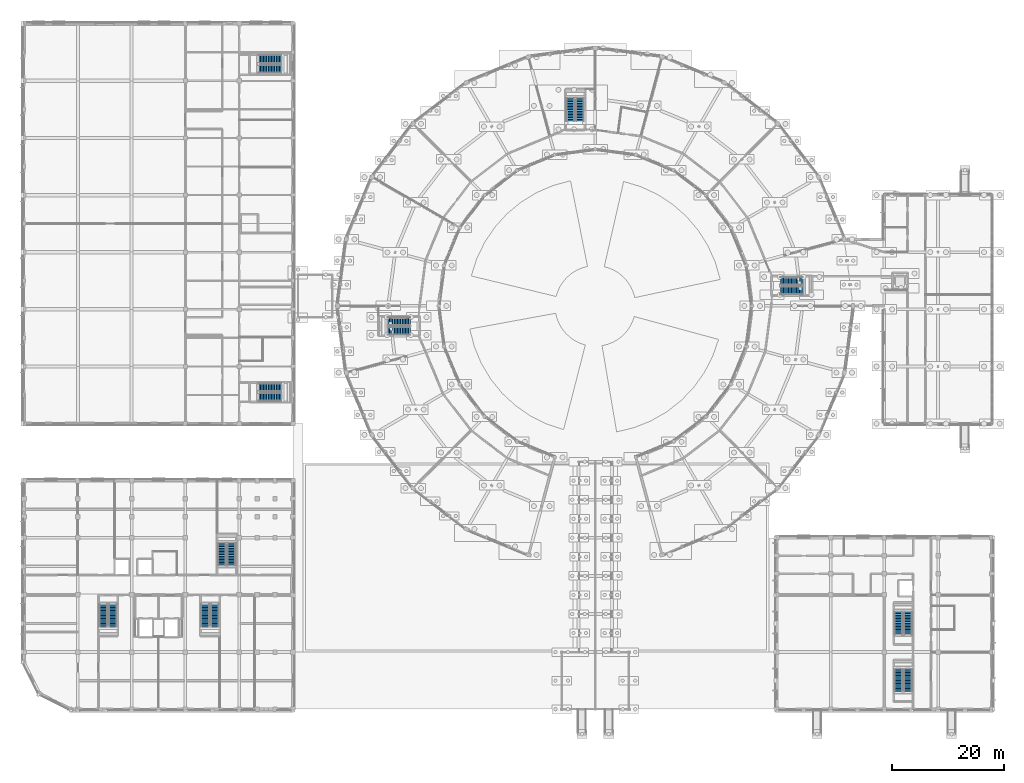
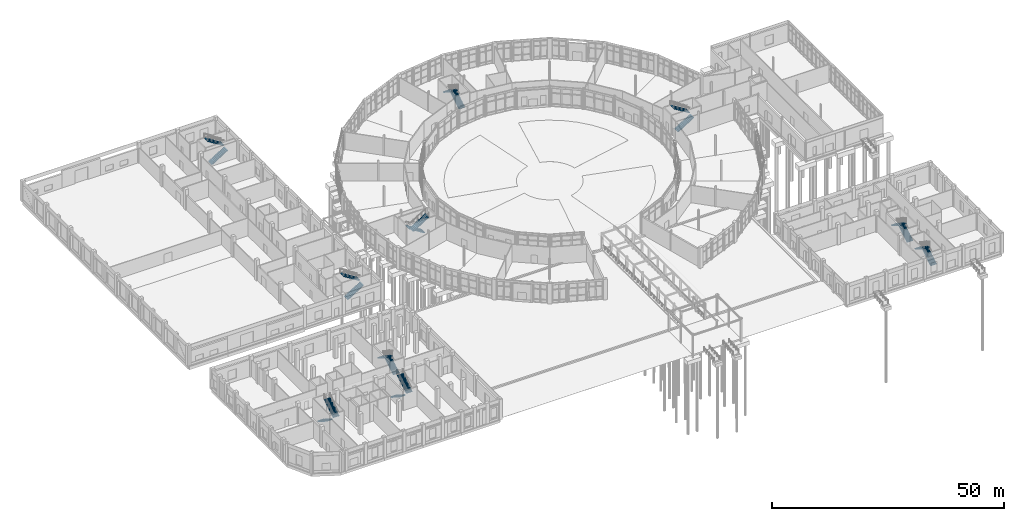
# One storey, part 114 of 137: 20 stair flights, 10 elements without a shape of their own.
"""IFC4 building model written with IfcOpenShell, lengths in metres."""

from ifc_helpers import new_model, si_unit, direction, frame, origin, place, context, subcontext, project, spatial, polyline, outline, extrude, material, type_object, element, aggregate, save


model = new_model("IFC4")

# Units and contexts
model_context = context("Model", 3, precision=1e-05, world=origin(), true_north=direction((0.0, 1.0)))
body_context = subcontext(model_context, "Body", "Model", "MODEL_VIEW")
ifc_project = project(units=[si_unit("LENGTHUNIT", "METRE"), si_unit("AREAUNIT", "SQUARE_METRE"), si_unit("VOLUMEUNIT", "CUBIC_METRE"), si_unit("PLANEANGLEUNIT", "RADIAN"), si_unit("MASSUNIT", "GRAM", prefix="KILO")], contexts=[model_context])

# Site, building, storey
site_placement = place(None, origin())
site = spatial("IfcSite", under=ifc_project, at=site_placement, CompositionType="ELEMENT")
building_placement = place(site_placement, origin())
building = spatial("IfcBuilding", under=site, at=building_placement, Name="Vondelvale Polytechnic", CompositionType="ELEMENT")
storey_placement = place(building_placement, origin())
storey = spatial("IfcBuildingStorey", under=building, at=storey_placement, Name="L00", CompositionType="ELEMENT", Elevation=0.0)

# Stair, stair flights
ifc_material = material(Name="Concrete N40 (f'c = 40 MPa)", Category="concrete")
stair_type = type_object("IfcStairType", Name="STR-DOG-1500", PredefinedType="HALF_TURN_STAIR", material=ifc_material)
stair_1_placement = place(storey_placement, origin())
stair_1 = element("IfcStair", 1, at=stair_1_placement, inside=storey, type_object=stair_type, Name="L00 ST-01", PredefinedType="HALF_TURN_STAIR")
stair_flight_type = type_object("IfcStairFlightType", Name="STF-DOG-1500", PredefinedType="STRAIGHT", material=ifc_material)
stair_flight_1_placement = place(storey_placement, frame((41.89990234375, 55.75, 0.0), z_axis=(0.0, 0.0, 1.0), x_axis=(1.0, 0.0, 0.0)))
stair_flight_1 = element("IfcStairFlight", 2, at=stair_flight_1_placement, type_object=stair_flight_type, Name="ST-01 flight 1", NumberOfRisers=15, NumberOfTreads=14, PredefinedType="STRAIGHT", RiserHeight=0.18, TreadLength=0.285, context=body_context, shape_type="SweptSolid", body=[
    extrude(outline(polyline([(0.0, 0.0), (0.0, 0.179931640625), (0.284912109375, 0.179931640625), (0.284912109375, 0.360107421875), (0.570068359375, 0.360107421875), (0.570068359375, 0.5400390625), (0.85498046875, 0.5400390625), (0.85498046875, 0.719970703125), (1.139892578125, 0.719970703125), (1.139892578125, 0.89990234375), (1.425048828125, 0.89990234375), (1.425048828125, 1.080078125), (1.7099609375, 1.080078125), (1.7099609375, 1.260009765625), (1.9951171875, 1.260009765625), (1.9951171875, 1.43994140625), (2.280029296875, 1.43994140625), (2.280029296875, 1.6201171875), (2.56494140625, 1.6201171875), (2.56494140625, 1.800048828125), (2.85009765625, 1.800048828125), (2.85009765625, 1.97998046875), (3.135009765625, 1.97998046875), (3.135009765625, 2.159912109375), (3.419921875, 2.159912109375), (3.419921875, 2.340087890625), (3.705078125, 2.340087890625), (3.705078125, 2.52001953125), (3.989990234375, 2.52001953125), (3.989990234375, 2.699951171875), (3.989990234375, 2.330810546875), (0.299560546875, 0.0), (0.0, 0.0)])), frame((0.0, 0.75, 0.0), z_axis=(0.0, -1.0, 0.0), x_axis=(1.0, 0.0, 0.0)), (0.0, 0.0, 1.0), 1.5),
])
stair_flight_2_placement = place(storey_placement, frame((45.889892578125, 57.449951171875, 2.699951171875), z_axis=(0.0, 0.0, 1.0), x_axis=(-1.0, 0.0, 0.0)))
stair_flight_2 = element("IfcStairFlight", 3, at=stair_flight_2_placement, type_object=stair_flight_type, Name="ST-01 flight 2", NumberOfRisers=15, NumberOfTreads=14, PredefinedType="STRAIGHT", RiserHeight=0.18, TreadLength=0.285, context=body_context, shape_type="SweptSolid", body=[
    extrude(outline(polyline([(0.0, 0.0), (0.0, 0.179931640625), (0.284912109375, 0.179931640625), (0.284912109375, 0.360107421875), (0.570068359375, 0.360107421875), (0.570068359375, 0.5400390625), (0.85498046875, 0.5400390625), (0.85498046875, 0.719970703125), (1.139892578125, 0.719970703125), (1.139892578125, 0.89990234375), (1.425048828125, 0.89990234375), (1.425048828125, 1.080078125), (1.7099609375, 1.080078125), (1.7099609375, 1.260009765625), (1.9951171875, 1.260009765625), (1.9951171875, 1.43994140625), (2.280029296875, 1.43994140625), (2.280029296875, 1.6201171875), (2.56494140625, 1.6201171875), (2.56494140625, 1.800048828125), (2.85009765625, 1.800048828125), (2.85009765625, 1.97998046875), (3.135009765625, 1.97998046875), (3.135009765625, 2.159912109375), (3.419921875, 2.159912109375), (3.419921875, 2.340087890625), (3.705078125, 2.340087890625), (3.705078125, 2.52001953125), (3.989990234375, 2.52001953125), (3.989990234375, 2.699951171875), (3.989990234375, 2.330810546875), (0.299560546875, 0.0), (0.0, 0.0)])), frame((0.0, 0.75, 0.0), z_axis=(0.0, -1.0, 0.0), x_axis=(1.0, 0.0, 0.0)), (0.0, 0.0, 1.0), 1.5),
])
aggregate(stair_1, [stair_flight_1, stair_flight_2])

stair_2_placement = place(storey_placement, origin())
stair_2 = element("IfcStair", 4, at=stair_2_placement, inside=storey, type_object=stair_type, Name="L00 ST-02", PredefinedType="HALF_TURN_STAIR")
stair_flight_3_placement = place(storey_placement, frame((41.89990234375, 114.35009765625, 0.0), z_axis=(0.0, 0.0, 1.0), x_axis=(1.0, 0.0, 0.0)))
stair_flight_3 = element("IfcStairFlight", 5, at=stair_flight_3_placement, type_object=stair_flight_type, Name="ST-02 flight 1", NumberOfRisers=15, NumberOfTreads=14, PredefinedType="STRAIGHT", RiserHeight=0.18, TreadLength=0.285, context=body_context, shape_type="SweptSolid", body=[
    extrude(outline(polyline([(0.0, 0.0), (0.0, 0.179931640625), (0.284912109375, 0.179931640625), (0.284912109375, 0.360107421875), (0.570068359375, 0.360107421875), (0.570068359375, 0.5400390625), (0.85498046875, 0.5400390625), (0.85498046875, 0.719970703125), (1.139892578125, 0.719970703125), (1.139892578125, 0.89990234375), (1.425048828125, 0.89990234375), (1.425048828125, 1.080078125), (1.7099609375, 1.080078125), (1.7099609375, 1.260009765625), (1.9951171875, 1.260009765625), (1.9951171875, 1.43994140625), (2.280029296875, 1.43994140625), (2.280029296875, 1.6201171875), (2.56494140625, 1.6201171875), (2.56494140625, 1.800048828125), (2.85009765625, 1.800048828125), (2.85009765625, 1.97998046875), (3.135009765625, 1.97998046875), (3.135009765625, 2.159912109375), (3.419921875, 2.159912109375), (3.419921875, 2.340087890625), (3.705078125, 2.340087890625), (3.705078125, 2.52001953125), (3.989990234375, 2.52001953125), (3.989990234375, 2.699951171875), (3.989990234375, 2.330810546875), (0.299560546875, 0.0), (0.0, 0.0)])), frame((0.0, 0.75, 0.0), z_axis=(0.0, -1.0, 0.0), x_axis=(1.0, 0.0, 0.0)), (0.0, 0.0, 1.0), 1.5),
])
stair_flight_4_placement = place(storey_placement, frame((45.889892578125, 116.050048828125, 2.699951171875), z_axis=(0.0, 0.0, 1.0), x_axis=(-1.0, 0.0, 0.0)))
stair_flight_4 = element("IfcStairFlight", 6, at=stair_flight_4_placement, type_object=stair_flight_type, Name="ST-02 flight 2", NumberOfRisers=15, NumberOfTreads=14, PredefinedType="STRAIGHT", RiserHeight=0.18, TreadLength=0.285, context=body_context, shape_type="SweptSolid", body=[
    extrude(outline(polyline([(0.0, 0.0), (0.0, 0.179931640625), (0.284912109375, 0.179931640625), (0.284912109375, 0.360107421875), (0.570068359375, 0.360107421875), (0.570068359375, 0.5400390625), (0.85498046875, 0.5400390625), (0.85498046875, 0.719970703125), (1.139892578125, 0.719970703125), (1.139892578125, 0.89990234375), (1.425048828125, 0.89990234375), (1.425048828125, 1.080078125), (1.7099609375, 1.080078125), (1.7099609375, 1.260009765625), (1.9951171875, 1.260009765625), (1.9951171875, 1.43994140625), (2.280029296875, 1.43994140625), (2.280029296875, 1.6201171875), (2.56494140625, 1.6201171875), (2.56494140625, 1.800048828125), (2.85009765625, 1.800048828125), (2.85009765625, 1.97998046875), (3.135009765625, 1.97998046875), (3.135009765625, 2.159912109375), (3.419921875, 2.159912109375), (3.419921875, 2.340087890625), (3.705078125, 2.340087890625), (3.705078125, 2.52001953125), (3.989990234375, 2.52001953125), (3.989990234375, 2.699951171875), (3.989990234375, 2.330810546875), (0.299560546875, 0.0), (0.0, 0.0)])), frame((0.0, 0.75, 0.0), z_axis=(0.0, -1.0, 0.0), x_axis=(1.0, 0.0, 0.0)), (0.0, 0.0, 1.0), 1.5),
])
aggregate(stair_2, [stair_flight_3, stair_flight_4])

stair_3_placement = place(storey_placement, origin())
stair_3 = element("IfcStair", 7, at=stair_3_placement, inside=storey, type_object=stair_type, Name="L00 ST-03", PredefinedType="HALF_TURN_STAIR")
stair_flight_5_placement = place(storey_placement, frame((14.14990234375, 18.75, 0.0), z_axis=(0.0, 0.0, 1.0), x_axis=(0.0, -1.0, 0.0)))
stair_flight_5 = element("IfcStairFlight", 8, at=stair_flight_5_placement, type_object=stair_flight_type, Name="ST-03 flight 1", NumberOfRisers=15, NumberOfTreads=14, PredefinedType="STRAIGHT", RiserHeight=0.18, TreadLength=0.285, context=body_context, shape_type="SweptSolid", body=[
    extrude(outline(polyline([(0.0, 0.0), (0.0, 0.179931640625), (0.284912109375, 0.179931640625), (0.284912109375, 0.360107421875), (0.570068359375, 0.360107421875), (0.570068359375, 0.5400390625), (0.85498046875, 0.5400390625), (0.85498046875, 0.719970703125), (1.139892578125, 0.719970703125), (1.139892578125, 0.89990234375), (1.425048828125, 0.89990234375), (1.425048828125, 1.080078125), (1.7099609375, 1.080078125), (1.7099609375, 1.260009765625), (1.9951171875, 1.260009765625), (1.9951171875, 1.43994140625), (2.280029296875, 1.43994140625), (2.280029296875, 1.6201171875), (2.56494140625, 1.6201171875), (2.56494140625, 1.800048828125), (2.85009765625, 1.800048828125), (2.85009765625, 1.97998046875), (3.135009765625, 1.97998046875), (3.135009765625, 2.159912109375), (3.419921875, 2.159912109375), (3.419921875, 2.340087890625), (3.705078125, 2.340087890625), (3.705078125, 2.52001953125), (3.989990234375, 2.52001953125), (3.989990234375, 2.699951171875), (3.989990234375, 2.330810546875), (0.299560546875, 0.0), (0.0, 0.0)])), frame((0.0, 0.75, 0.0), z_axis=(0.0, -1.0, 0.0), x_axis=(1.0, 0.0, 0.0)), (0.0, 0.0, 1.0), 1.5),
])
stair_flight_6_placement = place(storey_placement, frame((15.85009765625, 14.760009765625, 2.699951171875), z_axis=(0.0, 0.0, 1.0), x_axis=(0.0, 1.0, 0.0)))
stair_flight_6 = element("IfcStairFlight", 9, at=stair_flight_6_placement, type_object=stair_flight_type, Name="ST-03 flight 2", NumberOfRisers=15, NumberOfTreads=14, PredefinedType="STRAIGHT", RiserHeight=0.18, TreadLength=0.285, context=body_context, shape_type="SweptSolid", body=[
    extrude(outline(polyline([(0.0, 0.0), (0.0, 0.179931640625), (0.284912109375, 0.179931640625), (0.284912109375, 0.360107421875), (0.570068359375, 0.360107421875), (0.570068359375, 0.5400390625), (0.85498046875, 0.5400390625), (0.85498046875, 0.719970703125), (1.139892578125, 0.719970703125), (1.139892578125, 0.89990234375), (1.425048828125, 0.89990234375), (1.425048828125, 1.080078125), (1.7099609375, 1.080078125), (1.7099609375, 1.260009765625), (1.9951171875, 1.260009765625), (1.9951171875, 1.43994140625), (2.280029296875, 1.43994140625), (2.280029296875, 1.6201171875), (2.56494140625, 1.6201171875), (2.56494140625, 1.800048828125), (2.85009765625, 1.800048828125), (2.85009765625, 1.97998046875), (3.135009765625, 1.97998046875), (3.135009765625, 2.159912109375), (3.419921875, 2.159912109375), (3.419921875, 2.340087890625), (3.705078125, 2.340087890625), (3.705078125, 2.52001953125), (3.989990234375, 2.52001953125), (3.989990234375, 2.699951171875), (3.989990234375, 2.330810546875), (0.299560546875, 0.0), (0.0, 0.0)])), frame((0.0, 0.75, 0.0), z_axis=(0.0, -1.0, 0.0), x_axis=(1.0, 0.0, 0.0)), (0.0, 0.0, 1.0), 1.5),
])
aggregate(stair_3, [stair_flight_5, stair_flight_6])

stair_4_placement = place(storey_placement, origin())
stair_4 = element("IfcStair", 10, at=stair_4_placement, inside=storey, type_object=stair_type, Name="L00 ST-04", PredefinedType="HALF_TURN_STAIR")
stair_flight_7_placement = place(storey_placement, frame((32.35009765625, 18.75, 0.0), z_axis=(0.0, 0.0, 1.0), x_axis=(0.0, -1.0, 0.0)))
stair_flight_7 = element("IfcStairFlight", 11, at=stair_flight_7_placement, type_object=stair_flight_type, Name="ST-04 flight 1", NumberOfRisers=15, NumberOfTreads=14, PredefinedType="STRAIGHT", RiserHeight=0.18, TreadLength=0.285, context=body_context, shape_type="SweptSolid", body=[
    extrude(outline(polyline([(0.0, 0.0), (0.0, 0.179931640625), (0.284912109375, 0.179931640625), (0.284912109375, 0.360107421875), (0.570068359375, 0.360107421875), (0.570068359375, 0.5400390625), (0.85498046875, 0.5400390625), (0.85498046875, 0.719970703125), (1.139892578125, 0.719970703125), (1.139892578125, 0.89990234375), (1.425048828125, 0.89990234375), (1.425048828125, 1.080078125), (1.7099609375, 1.080078125), (1.7099609375, 1.260009765625), (1.9951171875, 1.260009765625), (1.9951171875, 1.43994140625), (2.280029296875, 1.43994140625), (2.280029296875, 1.6201171875), (2.56494140625, 1.6201171875), (2.56494140625, 1.800048828125), (2.85009765625, 1.800048828125), (2.85009765625, 1.97998046875), (3.135009765625, 1.97998046875), (3.135009765625, 2.159912109375), (3.419921875, 2.159912109375), (3.419921875, 2.340087890625), (3.705078125, 2.340087890625), (3.705078125, 2.52001953125), (3.989990234375, 2.52001953125), (3.989990234375, 2.699951171875), (3.989990234375, 2.330810546875), (0.299560546875, 0.0), (0.0, 0.0)])), frame((0.0, 0.75, 0.0), z_axis=(0.0, -1.0, 0.0), x_axis=(1.0, 0.0, 0.0)), (0.0, 0.0, 1.0), 1.5),
])
stair_flight_8_placement = place(storey_placement, frame((34.050048828125, 14.760009765625, 2.699951171875), z_axis=(0.0, 0.0, 1.0), x_axis=(0.0, 1.0, 0.0)))
stair_flight_8 = element("IfcStairFlight", 12, at=stair_flight_8_placement, type_object=stair_flight_type, Name="ST-04 flight 2", NumberOfRisers=15, NumberOfTreads=14, PredefinedType="STRAIGHT", RiserHeight=0.18, TreadLength=0.285, context=body_context, shape_type="SweptSolid", body=[
    extrude(outline(polyline([(0.0, 0.0), (0.0, 0.179931640625), (0.284912109375, 0.179931640625), (0.284912109375, 0.360107421875), (0.570068359375, 0.360107421875), (0.570068359375, 0.5400390625), (0.85498046875, 0.5400390625), (0.85498046875, 0.719970703125), (1.139892578125, 0.719970703125), (1.139892578125, 0.89990234375), (1.425048828125, 0.89990234375), (1.425048828125, 1.080078125), (1.7099609375, 1.080078125), (1.7099609375, 1.260009765625), (1.9951171875, 1.260009765625), (1.9951171875, 1.43994140625), (2.280029296875, 1.43994140625), (2.280029296875, 1.6201171875), (2.56494140625, 1.6201171875), (2.56494140625, 1.800048828125), (2.85009765625, 1.800048828125), (2.85009765625, 1.97998046875), (3.135009765625, 1.97998046875), (3.135009765625, 2.159912109375), (3.419921875, 2.159912109375), (3.419921875, 2.340087890625), (3.705078125, 2.340087890625), (3.705078125, 2.52001953125), (3.989990234375, 2.52001953125), (3.989990234375, 2.699951171875), (3.989990234375, 2.330810546875), (0.299560546875, 0.0), (0.0, 0.0)])), frame((0.0, 0.75, 0.0), z_axis=(0.0, -1.0, 0.0), x_axis=(1.0, 0.0, 0.0)), (0.0, 0.0, 1.0), 1.5),
])
aggregate(stair_4, [stair_flight_7, stair_flight_8])

stair_5_placement = place(storey_placement, origin())
stair_5 = element("IfcStair", 13, at=stair_5_placement, inside=storey, type_object=stair_type, Name="L00 ST-05", PredefinedType="HALF_TURN_STAIR")
stair_flight_9_placement = place(storey_placement, frame((37.050048828125, 25.60009765625, 0.0), z_axis=(0.0, 0.0, 1.0), x_axis=(0.0, 1.0, 0.0)))
stair_flight_9 = element("IfcStairFlight", 14, at=stair_flight_9_placement, type_object=stair_flight_type, Name="ST-05 flight 1", NumberOfRisers=15, NumberOfTreads=14, PredefinedType="STRAIGHT", RiserHeight=0.18, TreadLength=0.285, context=body_context, shape_type="SweptSolid", body=[
    extrude(outline(polyline([(0.0, 0.0), (0.0, 0.179931640625), (0.284912109375, 0.179931640625), (0.284912109375, 0.360107421875), (0.570068359375, 0.360107421875), (0.570068359375, 0.5400390625), (0.85498046875, 0.5400390625), (0.85498046875, 0.719970703125), (1.139892578125, 0.719970703125), (1.139892578125, 0.89990234375), (1.425048828125, 0.89990234375), (1.425048828125, 1.080078125), (1.7099609375, 1.080078125), (1.7099609375, 1.260009765625), (1.9951171875, 1.260009765625), (1.9951171875, 1.43994140625), (2.280029296875, 1.43994140625), (2.280029296875, 1.6201171875), (2.56494140625, 1.6201171875), (2.56494140625, 1.800048828125), (2.85009765625, 1.800048828125), (2.85009765625, 1.97998046875), (3.135009765625, 1.97998046875), (3.135009765625, 2.159912109375), (3.419921875, 2.159912109375), (3.419921875, 2.340087890625), (3.705078125, 2.340087890625), (3.705078125, 2.52001953125), (3.989990234375, 2.52001953125), (3.989990234375, 2.699951171875), (3.989990234375, 2.330810546875), (0.299560546875, 0.0), (0.0, 0.0)])), frame((0.0, 0.75, 0.0), z_axis=(0.0, -1.0, 0.0), x_axis=(1.0, 0.0, 0.0)), (0.0, 0.0, 1.0), 1.5),
])
stair_flight_10_placement = place(storey_placement, frame((35.35009765625, 29.590087890625, 2.699951171875), z_axis=(0.0, 0.0, 1.0), x_axis=(0.0, -1.0, 0.0)))
stair_flight_10 = element("IfcStairFlight", 15, at=stair_flight_10_placement, type_object=stair_flight_type, Name="ST-05 flight 2", NumberOfRisers=15, NumberOfTreads=14, PredefinedType="STRAIGHT", RiserHeight=0.18, TreadLength=0.285, context=body_context, shape_type="SweptSolid", body=[
    extrude(outline(polyline([(0.0, 0.0), (0.0, 0.179931640625), (0.284912109375, 0.179931640625), (0.284912109375, 0.360107421875), (0.570068359375, 0.360107421875), (0.570068359375, 0.5400390625), (0.85498046875, 0.5400390625), (0.85498046875, 0.719970703125), (1.139892578125, 0.719970703125), (1.139892578125, 0.89990234375), (1.425048828125, 0.89990234375), (1.425048828125, 1.080078125), (1.7099609375, 1.080078125), (1.7099609375, 1.260009765625), (1.9951171875, 1.260009765625), (1.9951171875, 1.43994140625), (2.280029296875, 1.43994140625), (2.280029296875, 1.6201171875), (2.56494140625, 1.6201171875), (2.56494140625, 1.800048828125), (2.85009765625, 1.800048828125), (2.85009765625, 1.97998046875), (3.135009765625, 1.97998046875), (3.135009765625, 2.159912109375), (3.419921875, 2.159912109375), (3.419921875, 2.340087890625), (3.705078125, 2.340087890625), (3.705078125, 2.52001953125), (3.989990234375, 2.52001953125), (3.989990234375, 2.699951171875), (3.989990234375, 2.330810546875), (0.299560546875, 0.0), (0.0, 0.0)])), frame((0.0, 0.75, 0.0), z_axis=(0.0, -1.0, 0.0), x_axis=(1.0, 0.0, 0.0)), (0.0, 0.0, 1.0), 1.5),
])
aggregate(stair_5, [stair_flight_9, stair_flight_10])

stair_6_placement = place(storey_placement, origin())
stair_6 = element("IfcStair", 16, at=stair_6_placement, inside=storey, type_object=stair_type, Name="L00 ST-06", PredefinedType="HALF_TURN_STAIR")
stair_flight_11_placement = place(storey_placement, frame((157.85009765625, 3.14990234375, 0.0), z_axis=(0.0, 0.0, 1.0), x_axis=(0.0, 1.0, 0.0)))
stair_flight_11 = element("IfcStairFlight", 17, at=stair_flight_11_placement, type_object=stair_flight_type, Name="ST-06 flight 1", NumberOfRisers=15, NumberOfTreads=14, PredefinedType="STRAIGHT", RiserHeight=0.18, TreadLength=0.285, context=body_context, shape_type="SweptSolid", body=[
    extrude(outline(polyline([(0.0, 0.0), (0.0, 0.179931640625), (0.284912109375, 0.179931640625), (0.284912109375, 0.360107421875), (0.570068359375, 0.360107421875), (0.570068359375, 0.5400390625), (0.85498046875, 0.5400390625), (0.85498046875, 0.719970703125), (1.139892578125, 0.719970703125), (1.139892578125, 0.89990234375), (1.425048828125, 0.89990234375), (1.425048828125, 1.080078125), (1.7099609375, 1.080078125), (1.7099609375, 1.260009765625), (1.9951171875, 1.260009765625), (1.9951171875, 1.43994140625), (2.280029296875, 1.43994140625), (2.280029296875, 1.6201171875), (2.56494140625, 1.6201171875), (2.56494140625, 1.800048828125), (2.85009765625, 1.800048828125), (2.85009765625, 1.97998046875), (3.135009765625, 1.97998046875), (3.135009765625, 2.159912109375), (3.419921875, 2.159912109375), (3.419921875, 2.340087890625), (3.705078125, 2.340087890625), (3.705078125, 2.52001953125), (3.989990234375, 2.52001953125), (3.989990234375, 2.699951171875), (3.989990234375, 2.330810546875), (0.299560546875, 0.0), (0.0, 0.0)])), frame((0.0, 0.75, 0.0), z_axis=(0.0, -1.0, 0.0), x_axis=(1.0, 0.0, 0.0)), (0.0, 0.0, 1.0), 1.5),
])
stair_flight_12_placement = place(storey_placement, frame((156.14990234375, 7.139892578125, 2.699951171875), z_axis=(0.0, 0.0, 1.0), x_axis=(0.0, -1.0, 0.0)))
stair_flight_12 = element("IfcStairFlight", 18, at=stair_flight_12_placement, type_object=stair_flight_type, Name="ST-06 flight 2", NumberOfRisers=15, NumberOfTreads=14, PredefinedType="STRAIGHT", RiserHeight=0.18, TreadLength=0.285, context=body_context, shape_type="SweptSolid", body=[
    extrude(outline(polyline([(0.0, 0.0), (0.0, 0.179931640625), (0.284912109375, 0.179931640625), (0.284912109375, 0.360107421875), (0.570068359375, 0.360107421875), (0.570068359375, 0.5400390625), (0.85498046875, 0.5400390625), (0.85498046875, 0.719970703125), (1.139892578125, 0.719970703125), (1.139892578125, 0.89990234375), (1.425048828125, 0.89990234375), (1.425048828125, 1.080078125), (1.7099609375, 1.080078125), (1.7099609375, 1.260009765625), (1.9951171875, 1.260009765625), (1.9951171875, 1.43994140625), (2.280029296875, 1.43994140625), (2.280029296875, 1.6201171875), (2.56494140625, 1.6201171875), (2.56494140625, 1.800048828125), (2.85009765625, 1.800048828125), (2.85009765625, 1.97998046875), (3.135009765625, 1.97998046875), (3.135009765625, 2.159912109375), (3.419921875, 2.159912109375), (3.419921875, 2.340087890625), (3.705078125, 2.340087890625), (3.705078125, 2.52001953125), (3.989990234375, 2.52001953125), (3.989990234375, 2.699951171875), (3.989990234375, 2.330810546875), (0.299560546875, 0.0), (0.0, 0.0)])), frame((0.0, 0.75, 0.0), z_axis=(0.0, -1.0, 0.0), x_axis=(1.0, 0.0, 0.0)), (0.0, 0.0, 1.0), 1.5),
])
aggregate(stair_6, [stair_flight_11, stair_flight_12])

stair_7_placement = place(storey_placement, origin())
stair_7 = element("IfcStair", 19, at=stair_7_placement, inside=storey, type_object=stair_type, Name="L00 ST-07", PredefinedType="HALF_TURN_STAIR")
stair_flight_13_placement = place(storey_placement, frame((157.85009765625, 13.35009765625, 0.0), z_axis=(0.0, 0.0, 1.0), x_axis=(0.0, 1.0, 0.0)))
stair_flight_13 = element("IfcStairFlight", 20, at=stair_flight_13_placement, type_object=stair_flight_type, Name="ST-07 flight 1", NumberOfRisers=15, NumberOfTreads=14, PredefinedType="STRAIGHT", RiserHeight=0.18, TreadLength=0.285, context=body_context, shape_type="SweptSolid", body=[
    extrude(outline(polyline([(0.0, 0.0), (0.0, 0.179931640625), (0.284912109375, 0.179931640625), (0.284912109375, 0.360107421875), (0.570068359375, 0.360107421875), (0.570068359375, 0.5400390625), (0.85498046875, 0.5400390625), (0.85498046875, 0.719970703125), (1.139892578125, 0.719970703125), (1.139892578125, 0.89990234375), (1.425048828125, 0.89990234375), (1.425048828125, 1.080078125), (1.7099609375, 1.080078125), (1.7099609375, 1.260009765625), (1.9951171875, 1.260009765625), (1.9951171875, 1.43994140625), (2.280029296875, 1.43994140625), (2.280029296875, 1.6201171875), (2.56494140625, 1.6201171875), (2.56494140625, 1.800048828125), (2.85009765625, 1.800048828125), (2.85009765625, 1.97998046875), (3.135009765625, 1.97998046875), (3.135009765625, 2.159912109375), (3.419921875, 2.159912109375), (3.419921875, 2.340087890625), (3.705078125, 2.340087890625), (3.705078125, 2.52001953125), (3.989990234375, 2.52001953125), (3.989990234375, 2.699951171875), (3.989990234375, 2.330810546875), (0.299560546875, 0.0), (0.0, 0.0)])), frame((0.0, 0.75, 0.0), z_axis=(0.0, -1.0, 0.0), x_axis=(1.0, 0.0, 0.0)), (0.0, 0.0, 1.0), 1.5),
])
stair_flight_14_placement = place(storey_placement, frame((156.14990234375, 17.340087890625, 2.699951171875), z_axis=(0.0, 0.0, 1.0), x_axis=(0.0, -1.0, 0.0)))
stair_flight_14 = element("IfcStairFlight", 21, at=stair_flight_14_placement, type_object=stair_flight_type, Name="ST-07 flight 2", NumberOfRisers=15, NumberOfTreads=14, PredefinedType="STRAIGHT", RiserHeight=0.18, TreadLength=0.285, context=body_context, shape_type="SweptSolid", body=[
    extrude(outline(polyline([(0.0, 0.0), (0.0, 0.179931640625), (0.284912109375, 0.179931640625), (0.284912109375, 0.360107421875), (0.570068359375, 0.360107421875), (0.570068359375, 0.5400390625), (0.85498046875, 0.5400390625), (0.85498046875, 0.719970703125), (1.139892578125, 0.719970703125), (1.139892578125, 0.89990234375), (1.425048828125, 0.89990234375), (1.425048828125, 1.080078125), (1.7099609375, 1.080078125), (1.7099609375, 1.260009765625), (1.9951171875, 1.260009765625), (1.9951171875, 1.43994140625), (2.280029296875, 1.43994140625), (2.280029296875, 1.6201171875), (2.56494140625, 1.6201171875), (2.56494140625, 1.800048828125), (2.85009765625, 1.800048828125), (2.85009765625, 1.97998046875), (3.135009765625, 1.97998046875), (3.135009765625, 2.159912109375), (3.419921875, 2.159912109375), (3.419921875, 2.340087890625), (3.705078125, 2.340087890625), (3.705078125, 2.52001953125), (3.989990234375, 2.52001953125), (3.989990234375, 2.699951171875), (3.989990234375, 2.330810546875), (0.299560546875, 0.0), (0.0, 0.0)])), frame((0.0, 0.75, 0.0), z_axis=(0.0, -1.0, 0.0), x_axis=(1.0, 0.0, 0.0)), (0.0, 0.0, 1.0), 1.5),
])
aggregate(stair_7, [stair_flight_13, stair_flight_14])

stair_8_placement = place(storey_placement, origin())
stair_8 = element("IfcStair", 22, at=stair_8_placement, inside=storey, type_object=stair_type, Name="L00 ST-08", PredefinedType="HALF_TURN_STAIR")
stair_flight_15_placement = place(storey_placement, frame((135.050048828125, 74.75, 0.0), z_axis=(0.0, 0.0, 1.0), x_axis=(1.0, 0.0, 0.0)))
stair_flight_15 = element("IfcStairFlight", 23, at=stair_flight_15_placement, type_object=stair_flight_type, Name="ST-08 flight 1", NumberOfRisers=15, NumberOfTreads=14, PredefinedType="STRAIGHT", RiserHeight=0.18, TreadLength=0.285, context=body_context, shape_type="SweptSolid", body=[
    extrude(outline(polyline([(0.0, 0.0), (0.0, 0.179931640625), (0.284912109375, 0.179931640625), (0.284912109375, 0.360107421875), (0.570068359375, 0.360107421875), (0.570068359375, 0.5400390625), (0.85498046875, 0.5400390625), (0.85498046875, 0.719970703125), (1.139892578125, 0.719970703125), (1.139892578125, 0.89990234375), (1.425048828125, 0.89990234375), (1.425048828125, 1.080078125), (1.7099609375, 1.080078125), (1.7099609375, 1.260009765625), (1.9951171875, 1.260009765625), (1.9951171875, 1.43994140625), (2.280029296875, 1.43994140625), (2.280029296875, 1.6201171875), (2.56494140625, 1.6201171875), (2.56494140625, 1.800048828125), (2.85009765625, 1.800048828125), (2.85009765625, 1.97998046875), (3.135009765625, 1.97998046875), (3.135009765625, 2.159912109375), (3.419921875, 2.159912109375), (3.419921875, 2.340087890625), (3.705078125, 2.340087890625), (3.705078125, 2.52001953125), (3.989990234375, 2.52001953125), (3.989990234375, 2.699951171875), (3.989990234375, 2.330810546875), (0.299560546875, 0.0), (0.0, 0.0)])), frame((0.0, 0.75, 0.0), z_axis=(0.0, -1.0, 0.0), x_axis=(1.0, 0.0, 0.0)), (0.0, 0.0, 1.0), 1.5),
])
stair_flight_16_placement = place(storey_placement, frame((139.0400390625, 76.449951171875, 2.699951171875), z_axis=(0.0, 0.0, 1.0), x_axis=(-1.0, 0.0, 0.0)))
stair_flight_16 = element("IfcStairFlight", 24, at=stair_flight_16_placement, type_object=stair_flight_type, Name="ST-08 flight 2", NumberOfRisers=15, NumberOfTreads=14, PredefinedType="STRAIGHT", RiserHeight=0.18, TreadLength=0.285, context=body_context, shape_type="SweptSolid", body=[
    extrude(outline(polyline([(0.0, 0.0), (0.0, 0.179931640625), (0.284912109375, 0.179931640625), (0.284912109375, 0.360107421875), (0.570068359375, 0.360107421875), (0.570068359375, 0.5400390625), (0.85498046875, 0.5400390625), (0.85498046875, 0.719970703125), (1.139892578125, 0.719970703125), (1.139892578125, 0.89990234375), (1.425048828125, 0.89990234375), (1.425048828125, 1.080078125), (1.7099609375, 1.080078125), (1.7099609375, 1.260009765625), (1.9951171875, 1.260009765625), (1.9951171875, 1.43994140625), (2.280029296875, 1.43994140625), (2.280029296875, 1.6201171875), (2.56494140625, 1.6201171875), (2.56494140625, 1.800048828125), (2.85009765625, 1.800048828125), (2.85009765625, 1.97998046875), (3.135009765625, 1.97998046875), (3.135009765625, 2.159912109375), (3.419921875, 2.159912109375), (3.419921875, 2.340087890625), (3.705078125, 2.340087890625), (3.705078125, 2.52001953125), (3.989990234375, 2.52001953125), (3.989990234375, 2.699951171875), (3.989990234375, 2.330810546875), (0.299560546875, 0.0), (0.0, 0.0)])), frame((0.0, 0.75, 0.0), z_axis=(0.0, -1.0, 0.0), x_axis=(1.0, 0.0, 0.0)), (0.0, 0.0, 1.0), 1.5),
])
aggregate(stair_8, [stair_flight_15, stair_flight_16])

stair_9_placement = place(storey_placement, origin())
stair_9 = element("IfcStair", 25, at=stair_9_placement, inside=storey, type_object=stair_type, Name="L00 ST-09", PredefinedType="HALF_TURN_STAIR")
stair_flight_17_placement = place(storey_placement, frame((99.25, 105.050048828125, 0.0), z_axis=(0.0, 0.0, 1.0), x_axis=(0.0, 1.0, 0.0)))
stair_flight_17 = element("IfcStairFlight", 26, at=stair_flight_17_placement, type_object=stair_flight_type, Name="ST-09 flight 1", NumberOfRisers=15, NumberOfTreads=14, PredefinedType="STRAIGHT", RiserHeight=0.18, TreadLength=0.285, context=body_context, shape_type="SweptSolid", body=[
    extrude(outline(polyline([(0.0, 0.0), (0.0, 0.179931640625), (0.284912109375, 0.179931640625), (0.284912109375, 0.360107421875), (0.570068359375, 0.360107421875), (0.570068359375, 0.5400390625), (0.85498046875, 0.5400390625), (0.85498046875, 0.719970703125), (1.139892578125, 0.719970703125), (1.139892578125, 0.89990234375), (1.425048828125, 0.89990234375), (1.425048828125, 1.080078125), (1.7099609375, 1.080078125), (1.7099609375, 1.260009765625), (1.9951171875, 1.260009765625), (1.9951171875, 1.43994140625), (2.280029296875, 1.43994140625), (2.280029296875, 1.6201171875), (2.56494140625, 1.6201171875), (2.56494140625, 1.800048828125), (2.85009765625, 1.800048828125), (2.85009765625, 1.97998046875), (3.135009765625, 1.97998046875), (3.135009765625, 2.159912109375), (3.419921875, 2.159912109375), (3.419921875, 2.340087890625), (3.705078125, 2.340087890625), (3.705078125, 2.52001953125), (3.989990234375, 2.52001953125), (3.989990234375, 2.699951171875), (3.989990234375, 2.330810546875), (0.299560546875, 0.0), (0.0, 0.0)])), frame((0.0, 0.75, 0.0), z_axis=(0.0, -1.0, 0.0), x_axis=(1.0, 0.0, 0.0)), (0.0, 0.0, 1.0), 1.5),
])
stair_flight_18_placement = place(storey_placement, frame((97.550048828125, 109.0400390625, 2.699951171875), z_axis=(0.0, 0.0, 1.0), x_axis=(0.0, -1.0, 0.0)))
stair_flight_18 = element("IfcStairFlight", 27, at=stair_flight_18_placement, type_object=stair_flight_type, Name="ST-09 flight 2", NumberOfRisers=15, NumberOfTreads=14, PredefinedType="STRAIGHT", RiserHeight=0.18, TreadLength=0.285, context=body_context, shape_type="SweptSolid", body=[
    extrude(outline(polyline([(0.0, 0.0), (0.0, 0.179931640625), (0.284912109375, 0.179931640625), (0.284912109375, 0.360107421875), (0.570068359375, 0.360107421875), (0.570068359375, 0.5400390625), (0.85498046875, 0.5400390625), (0.85498046875, 0.719970703125), (1.139892578125, 0.719970703125), (1.139892578125, 0.89990234375), (1.425048828125, 0.89990234375), (1.425048828125, 1.080078125), (1.7099609375, 1.080078125), (1.7099609375, 1.260009765625), (1.9951171875, 1.260009765625), (1.9951171875, 1.43994140625), (2.280029296875, 1.43994140625), (2.280029296875, 1.6201171875), (2.56494140625, 1.6201171875), (2.56494140625, 1.800048828125), (2.85009765625, 1.800048828125), (2.85009765625, 1.97998046875), (3.135009765625, 1.97998046875), (3.135009765625, 2.159912109375), (3.419921875, 2.159912109375), (3.419921875, 2.340087890625), (3.705078125, 2.340087890625), (3.705078125, 2.52001953125), (3.989990234375, 2.52001953125), (3.989990234375, 2.699951171875), (3.989990234375, 2.330810546875), (0.299560546875, 0.0), (0.0, 0.0)])), frame((0.0, 0.75, 0.0), z_axis=(0.0, -1.0, 0.0), x_axis=(1.0, 0.0, 0.0)), (0.0, 0.0, 1.0), 1.5),
])
aggregate(stair_9, [stair_flight_17, stair_flight_18])

stair_10_placement = place(storey_placement, origin())
stair_10 = element("IfcStair", 28, at=stair_10_placement, inside=storey, type_object=stair_type, Name="L00 ST-10", PredefinedType="HALF_TURN_STAIR")
stair_flight_19_placement = place(storey_placement, frame((68.949951171875, 69.25, 0.0), z_axis=(0.0, 0.0, 1.0), x_axis=(-1.0, 0.0, 0.0)))
stair_flight_19 = element("IfcStairFlight", 29, at=stair_flight_19_placement, type_object=stair_flight_type, Name="ST-10 flight 1", NumberOfRisers=15, NumberOfTreads=14, PredefinedType="STRAIGHT", RiserHeight=0.18, TreadLength=0.285, context=body_context, shape_type="SweptSolid", body=[
    extrude(outline(polyline([(0.0, 0.0), (0.0, 0.179931640625), (0.284912109375, 0.179931640625), (0.284912109375, 0.360107421875), (0.570068359375, 0.360107421875), (0.570068359375, 0.5400390625), (0.85498046875, 0.5400390625), (0.85498046875, 0.719970703125), (1.139892578125, 0.719970703125), (1.139892578125, 0.89990234375), (1.425048828125, 0.89990234375), (1.425048828125, 1.080078125), (1.7099609375, 1.080078125), (1.7099609375, 1.260009765625), (1.9951171875, 1.260009765625), (1.9951171875, 1.43994140625), (2.280029296875, 1.43994140625), (2.280029296875, 1.6201171875), (2.56494140625, 1.6201171875), (2.56494140625, 1.800048828125), (2.85009765625, 1.800048828125), (2.85009765625, 1.97998046875), (3.135009765625, 1.97998046875), (3.135009765625, 2.159912109375), (3.419921875, 2.159912109375), (3.419921875, 2.340087890625), (3.705078125, 2.340087890625), (3.705078125, 2.52001953125), (3.989990234375, 2.52001953125), (3.989990234375, 2.699951171875), (3.989990234375, 2.330810546875), (0.299560546875, 0.0), (0.0, 0.0)])), frame((0.0, 0.75, 0.0), z_axis=(0.0, -1.0, 0.0), x_axis=(1.0, 0.0, 0.0)), (0.0, 0.0, 1.0), 1.5),
])
stair_flight_20_placement = place(storey_placement, frame((64.9599609375, 67.550048828125, 2.699951171875), z_axis=(0.0, 0.0, 1.0), x_axis=(1.0, 0.0, 0.0)))
stair_flight_20 = element("IfcStairFlight", 30, at=stair_flight_20_placement, type_object=stair_flight_type, Name="ST-10 flight 2", NumberOfRisers=15, NumberOfTreads=14, PredefinedType="STRAIGHT", RiserHeight=0.18, TreadLength=0.285, context=body_context, shape_type="SweptSolid", body=[
    extrude(outline(polyline([(0.0, 0.0), (0.0, 0.179931640625), (0.284912109375, 0.179931640625), (0.284912109375, 0.360107421875), (0.570068359375, 0.360107421875), (0.570068359375, 0.5400390625), (0.85498046875, 0.5400390625), (0.85498046875, 0.719970703125), (1.139892578125, 0.719970703125), (1.139892578125, 0.89990234375), (1.425048828125, 0.89990234375), (1.425048828125, 1.080078125), (1.7099609375, 1.080078125), (1.7099609375, 1.260009765625), (1.9951171875, 1.260009765625), (1.9951171875, 1.43994140625), (2.280029296875, 1.43994140625), (2.280029296875, 1.6201171875), (2.56494140625, 1.6201171875), (2.56494140625, 1.800048828125), (2.85009765625, 1.800048828125), (2.85009765625, 1.97998046875), (3.135009765625, 1.97998046875), (3.135009765625, 2.159912109375), (3.419921875, 2.159912109375), (3.419921875, 2.340087890625), (3.705078125, 2.340087890625), (3.705078125, 2.52001953125), (3.989990234375, 2.52001953125), (3.989990234375, 2.699951171875), (3.989990234375, 2.330810546875), (0.299560546875, 0.0), (0.0, 0.0)])), frame((0.0, 0.75, 0.0), z_axis=(0.0, -1.0, 0.0), x_axis=(1.0, 0.0, 0.0)), (0.0, 0.0, 1.0), 1.5),
])
aggregate(stair_10, [stair_flight_19, stair_flight_20])

save(model, "model.ifc")
